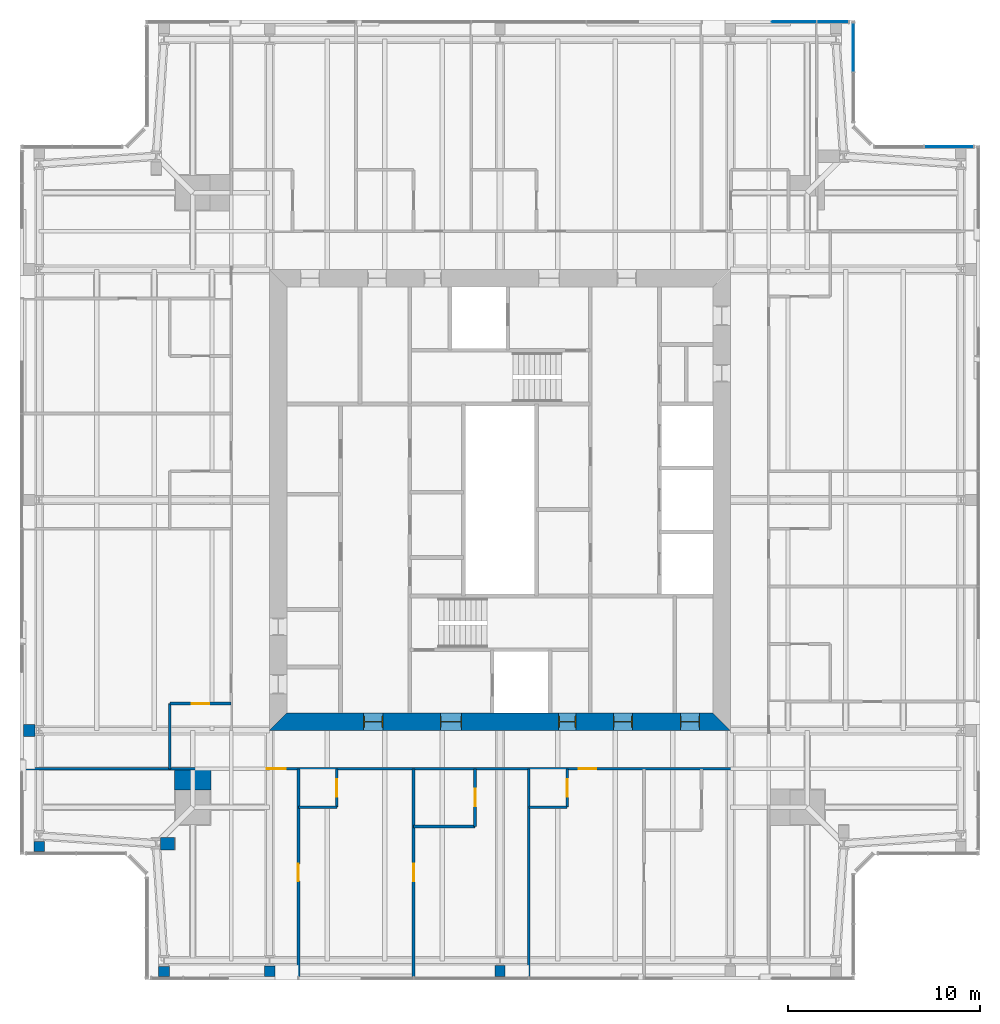
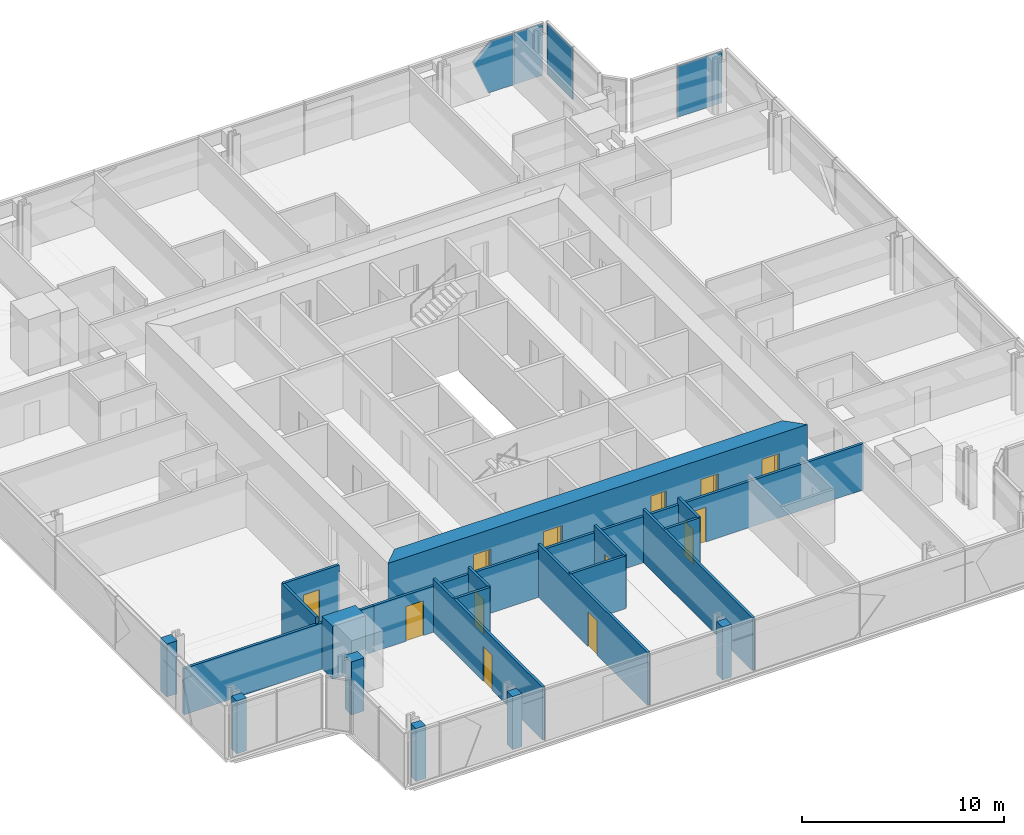
# One storey, part 11 of 18: 21 walls, 13 doors, 4 plates, 13 openings, 3 elements without a shape of their own.
"""IFC4 building model written with IfcOpenShell, lengths in metres."""

from ifc_helpers import new_model, si_unit, direction, frame, frame_2d, origin, origin_2d, place, context, subcontext, project, spatial, polyline, rectangle, outline, extrude, material, layer, layer_set, type_object, element, fill, aggregate, save


model = new_model("IFC4")

# Units and contexts
model_context = context("Model", 3, precision=1e-05, world=origin(), true_north=direction((0.0, 1.0)))
body_context = subcontext(model_context, "Body", "Model", "MODEL_VIEW")
ifc_project = project(units=[si_unit("LENGTHUNIT", "METRE"), si_unit("AREAUNIT", "SQUARE_METRE"), si_unit("VOLUMEUNIT", "CUBIC_METRE"), si_unit("PLANEANGLEUNIT", "RADIAN"), si_unit("MASSUNIT", "GRAM", prefix="KILO")], contexts=[model_context])

# Site, building, storey
site_placement = place(None, origin())
site = spatial("IfcSite", under=ifc_project, at=site_placement, CompositionType="ELEMENT")
building_placement = place(site_placement, origin())
building = spatial("IfcBuilding", under=site, at=building_placement, Name="Fenwick Lantern Interchange", CompositionType="ELEMENT")
storey_placement = place(building_placement, frame((0.0, 0.0, 293.39990234375)))
storey = spatial("IfcBuildingStorey", under=building, at=storey_placement, Name="L71", CompositionType="ELEMENT", Elevation=293.39990234375)

# Curtain wall, plate
ifc_material_1 = material(Name="Aluminium curtain wall frame", Category="aluminium")
curtain_wall_type = type_object("IfcCurtainWallType", Name="HOTEL CURTAIN WALL", PredefinedType="USERDEFINED", material=ifc_material_1)
curtain_wall_1_placement = place(storey_placement, origin())
curtain_wall_1 = element("IfcCurtainWall", 1, at=curtain_wall_1_placement, inside=storey, type_object=curtain_wall_type, Name="Hotel curtain wall 06", ObjectType="HOTEL CURTAIN WALL", PredefinedType="USERDEFINED")
ifc_material_2 = material(Name="Vision glass, acoustic laminated double glazed unit", Category="glass")
ifc_layer_1 = layer(ifc_material_2, 0.052001953125)
ifc_layer_set_1 = layer_set([ifc_layer_1], Name="HOTEL CURTAIN WALL PANEL 52")
plate_type = type_object("IfcPlateType", Name="HOTEL CURTAIN WALL PANEL 52", PredefinedType="CURTAIN_PANEL", material=ifc_layer_set_1)
plate_1_placement = place(storey_placement, frame((48.374755859375, 43.39990234375, 0.0), z_axis=(0.0, 0.0, 1.0), x_axis=(-1.0, 0.0, 0.0)))
plate_1 = element("IfcPlate", 2, at=plate_1_placement, type_object=plate_type, Name="L71/CW/06/P00", PredefinedType="CURTAIN_PANEL", context=body_context, shape_type="SweptSolid", body=[
    extrude(rectangle(XDim=2.53076171875, YDim=0.052001953125, at=origin_2d()), origin(), (0.0, 0.0, 1.0), 3.10009765625),
])
aggregate(curtain_wall_1, [plate_1])

curtain_wall_2_placement = place(storey_placement, origin())
curtain_wall_2 = element("IfcCurtainWall", 3, at=curtain_wall_2_placement, inside=storey, type_object=curtain_wall_type, Name="Hotel curtain wall 08", ObjectType="HOTEL CURTAIN WALL", PredefinedType="USERDEFINED")
plate_2_placement = place(storey_placement, frame((43.39990234375, 48.57470703125, 0.0), z_axis=(0.0, 0.0, 1.0), x_axis=(0.0, 1.0, 0.0)))
plate_2 = element("IfcPlate", 4, at=plate_2_placement, type_object=plate_type, Name="L71/CW/08/P01", PredefinedType="CURTAIN_PANEL", context=body_context, shape_type="SweptSolid", body=[
    extrude(rectangle(XDim=2.53076171875, YDim=0.052001953125, at=origin_2d()), origin(), (0.0, 0.0, 1.0), 3.10009765625),
])
aggregate(curtain_wall_2, [plate_2])

# Curtain wall, plates
curtain_wall_3_placement = place(storey_placement, origin())
curtain_wall_3 = element("IfcCurtainWall", 5, at=curtain_wall_3_placement, inside=storey, type_object=curtain_wall_type, Name="Hotel curtain wall 09", ObjectType="HOTEL CURTAIN WALL", PredefinedType="USERDEFINED")
plate_3_placement = place(storey_placement, frame((42.3349609375, 49.89990234375, 0.0), z_axis=(0.0, 0.0, 1.0), x_axis=(-1.0, 0.0, 0.0)))
plate_3 = element("IfcPlate", 6, at=plate_3_placement, type_object=plate_type, Name="L71/CW/09/P00", PredefinedType="CURTAIN_PANEL", context=body_context, shape_type="SweptSolid", body=[
    extrude(rectangle(XDim=1.610107421875, YDim=0.052001953125, at=origin_2d()), origin(), (0.0, 0.0, 1.0), 3.10009765625),
])
plate_4_placement = place(storey_placement, frame((43.39990234375, 49.89990234375, 0.0), z_axis=(0.0, 0.0, 1.0), x_axis=(-1.0, 0.0, 0.0)))
plate_4 = element("IfcPlate", 7, at=plate_4_placement, type_object=plate_type, Name="L71/CW/09/P01a", PredefinedType="CURTAIN_PANEL", context=body_context, shape_type="SweptSolid", body=[
    extrude(outline(polyline([(1.929931640625, 0.0), (3.36328125, 0.0), (4.258056640625, 2.193603515625), (3.260986328125, 3.10009765625), (1.929931640625, 3.10009765625), (1.929931640625, 0.0)])), frame((0.0, 0.02587890625, 0.0), z_axis=(0.0, -1.0, 0.0), x_axis=(1.0, 0.0, 0.0)), (0.0, 0.0, 1.0), 0.052001953125),
])
aggregate(curtain_wall_3, [plate_3, plate_4])

# Walls
ifc_material_3 = material(Name="Fire-rated gypsum board encasement on steel studs, 2 hour", Category="steel")
ifc_layer_2 = layer(ifc_material_3, 1.89990234375)
ifc_layer_set_2 = layer_set([ifc_layer_2], Name="COLUMN PIER 1900")
wall_type_1 = type_object("IfcWallType", Name="COLUMN PIER 1900", PredefinedType="PARTITIONING", material=ifc_layer_set_2)
wall_1_placement = place(storey_placement, frame((9.0, 10.925048828125, 0.0), z_axis=(0.0, 0.0, 1.0), x_axis=(0.0, -1.0, 0.0)))
element("IfcWall", 8, at=wall_1_placement, inside=storey, type_object=wall_type_1, Name="L71/W/PIER/M1", PredefinedType="PARTITIONING", context=body_context, shape_type="SweptSolid", body=[
    extrude(rectangle(XDim=1.025146484375, YDim=1.89990234375, at=frame_2d((0.5126953125, 0.0))), origin(), (0.0, 0.0, 1.0), 3.2001953125),
])
ifc_layer_3 = layer(ifc_material_3, 0.52392578125)
ifc_layer_set_3 = layer_set([ifc_layer_3], Name="COLUMN PIER 524")
wall_type_2 = type_object("IfcWallType", Name="COLUMN PIER 524", PredefinedType="PARTITIONING", material=ifc_layer_set_3)
wall_2_placement = place(storey_placement, frame((25.0, 0.18994140625, 0.0), z_axis=(0.0, 0.0, 1.0), x_axis=(0.0, 1.0, 0.0)))
element("IfcWall", 9, at=wall_2_placement, inside=storey, type_object=wall_type_2, Name="L71/W/PIER/CS3", PredefinedType="PARTITIONING", context=body_context, shape_type="SweptSolid", body=[
    extrude(rectangle(XDim=0.572509765625, YDim=0.52392578125, at=frame_2d((0.2861328125, 0.0))), origin(), (0.0, 0.0, 1.0), 3.2001953125),
])
ifc_layer_4 = layer(ifc_material_3, 0.5419921875)
ifc_layer_set_4 = layer_set([ifc_layer_4], Name="COLUMN PIER 542")
wall_type_3 = type_object("IfcWallType", Name="COLUMN PIER 542", PredefinedType="PARTITIONING", material=ifc_layer_set_4)
wall_3_placement = place(storey_placement, frame((13.0, 0.18994140625, 0.0), z_axis=(0.0, 0.0, 1.0), x_axis=(0.0, 1.0, 0.0)))
element("IfcWall", 10, at=wall_3_placement, inside=storey, type_object=wall_type_3, Name="L71/W/PIER/CS2", PredefinedType="PARTITIONING", context=body_context, shape_type="SweptSolid", body=[
    extrude(rectangle(XDim=0.544677734375, YDim=0.5419921875, at=frame_2d((0.2724609375, 0.0))), origin(), (0.0, 0.0, 1.0), 3.2001953125),
])
ifc_layer_5 = layer(ifc_material_3, 0.554931640625)
ifc_layer_set_5 = layer_set([ifc_layer_5], Name="COLUMN PIER 555")
wall_type_4 = type_object("IfcWallType", Name="COLUMN PIER 555", PredefinedType="PARTITIONING", material=ifc_layer_set_5)
for number, where, z_axis, x_axis, name in (
    (11, (7.5, 0.18994140625, 0.0), (0.0, 0.0, 1.0), (0.0, 1.0, 0.0), "L71/W/PIER/CS1"),
    (12, (1.0, 6.68994140625, 0.0), (0.0, 0.0, 1.0), (0.0, 1.0, 0.0), "L71/W/PIER/CW5"),
):
    element("IfcWall", number, at=place(storey_placement, frame(where, z_axis=z_axis, x_axis=x_axis)), inside=storey, type_object=wall_type_4, Name=name, PredefinedType="PARTITIONING", context=body_context, shape_type="SweptSolid", body=[
        extrude(rectangle(XDim=0.525634765625, YDim=0.554931640625, at=frame_2d((0.2626953125, 0.0))), origin(), (0.0, 0.0, 1.0), 3.2001953125),
    ])
ifc_layer_6 = layer(ifc_material_3, 0.631103515625)
ifc_layer_set_6 = layer_set([ifc_layer_6], Name="COLUMN PIER 631")
wall_type_5 = type_object("IfcWallType", Name="COLUMN PIER 631", PredefinedType="PARTITIONING", material=ifc_layer_set_6)
wall_4_placement = place(storey_placement, frame((0.18994140625, 13.0, 0.0), z_axis=(0.0, 0.0, 1.0), x_axis=(1.0, 0.0, 0.0)))
element("IfcWall", 13, at=wall_4_placement, inside=storey, type_object=wall_type_5, Name="L71/W/PIER/CW4", PredefinedType="PARTITIONING", context=body_context, shape_type="SweptSolid", body=[
    extrude(rectangle(XDim=0.589111328125, YDim=0.631103515625, at=frame_2d((0.29443359375, 0.0))), origin(), (0.0, 0.0, 1.0), 3.2001953125),
])
ifc_layer_7 = layer(ifc_material_3, 0.6689453125)
ifc_layer_set_7 = layer_set([ifc_layer_7], Name="COLUMN PIER 669")
wall_type_6 = type_object("IfcWallType", Name="COLUMN PIER 669", PredefinedType="PARTITIONING", material=ifc_layer_set_7)
wall_5_placement = place(storey_placement, frame((8.050048828125, 7.10009765625, 0.0), z_axis=(0.0, 0.0, 1.0), x_axis=(-1.0, 0.0, 0.0)))
element("IfcWall", 14, at=wall_5_placement, inside=storey, type_object=wall_type_6, Name="L71/W/PIER/CWR", PredefinedType="PARTITIONING", context=body_context, shape_type="SweptSolid", body=[
    extrude(rectangle(XDim=0.72265625, YDim=0.6689453125, at=frame_2d((0.361328125, 0.0))), origin(), (0.0, 0.0, 1.0), 3.2001953125),
])

# Wall, openings, doors
ifc_material_4 = material(Name="Concrete f'c 70 MPa", Category="concrete")
ifc_layer_8 = layer(ifc_material_4, 0.89990234375)
ifc_layer_set_8 = layer_set([ifc_layer_8], Name="CORE WALL 900")
wall_type_7 = type_object("IfcWallType", Name="CORE WALL 900", PredefinedType="SHEAR", material=ifc_layer_set_8)
wall_6_placement = place(storey_placement, frame((13.0, 13.449951171875, 0.0), z_axis=(0.0, 0.0, 1.0), x_axis=(1.0, 0.0, 0.0)))
wall_6 = element("IfcWall", 15, at=wall_6_placement, inside=storey, type_object=wall_type_7, Name="L71/CORE/S", PredefinedType="SHEAR", context=body_context, shape_type="SweptSolid", body=[
    extrude(outline(polyline([(0.0, -0.449951171875), (24.0, -0.449951171875), (23.10009765625, 0.449951171875), (0.89990234375, 0.449951171875), (0.0, -0.449951171875)])), origin(), (0.0, 0.0, 1.0), 3.400146484375),
])
opening_1_placement = place(wall_6_placement, frame((4.89990234375, 0.0, 0.0)))
opening_1 = element("IfcOpeningElement", 16, at=opening_1_placement, cuts=wall_6, Name="Opening L71-D001", PredefinedType="OPENING", context=body_context, shape_type="SweptSolid", body=[
    extrude(rectangle(XDim=1.0, YDim=2.199951171875, at=frame_2d((0.5, 1.10009765625))), frame((0.0, 0.4599609375, 0.0), z_axis=(0.0, -1.0, 0.0), x_axis=(1.0, 0.0, 0.0)), (0.0, 0.0, 1.0), 0.919921875),
])
opening_2_placement = place(wall_6_placement, frame((8.89990234375, 0.0, 0.0)))
opening_2 = element("IfcOpeningElement", 17, at=opening_2_placement, cuts=wall_6, Name="Opening L71-D002", PredefinedType="OPENING", context=body_context, shape_type="SweptSolid", body=[
    extrude(rectangle(XDim=1.10009765625, YDim=2.199951171875, at=frame_2d((0.550048828125, 1.10009765625))), frame((0.0, 0.4599609375, 0.0), z_axis=(0.0, -1.0, 0.0), x_axis=(1.0, 0.0, 0.0)), (0.0, 0.0, 1.0), 0.919921875),
])
opening_3_placement = place(wall_6_placement, frame((15.050048828125, 0.0, 0.0)))
opening_3 = element("IfcOpeningElement", 18, at=opening_3_placement, cuts=wall_6, Name="Opening L71-D004", PredefinedType="OPENING", context=body_context, shape_type="SweptSolid", body=[
    extrude(rectangle(XDim=0.89990234375, YDim=2.199951171875, at=frame_2d((0.449951171875, 1.10009765625))), frame((0.0, 0.4599609375, 0.0), z_axis=(0.0, -1.0, 0.0), x_axis=(1.0, 0.0, 0.0)), (0.0, 0.0, 1.0), 0.919921875),
])
opening_4_placement = place(wall_6_placement, frame((17.89990234375, 0.0, 0.0)))
opening_4 = element("IfcOpeningElement", 19, at=opening_4_placement, cuts=wall_6, Name="Opening L71-D005", PredefinedType="OPENING", context=body_context, shape_type="SweptSolid", body=[
    extrude(rectangle(XDim=1.0, YDim=2.199951171875, at=frame_2d((0.5, 1.10009765625))), frame((0.0, 0.4599609375, 0.0), z_axis=(0.0, -1.0, 0.0), x_axis=(1.0, 0.0, 0.0)), (0.0, 0.0, 1.0), 0.919921875),
])
opening_5_placement = place(wall_6_placement, frame((21.39990234375, 0.0, 0.0)))
opening_5 = element("IfcOpeningElement", 20, at=opening_5_placement, cuts=wall_6, Name="Opening L71-D006", PredefinedType="OPENING", context=body_context, shape_type="SweptSolid", body=[
    extrude(rectangle(XDim=1.0, YDim=2.199951171875, at=frame_2d((0.5, 1.10009765625))), frame((0.0, 0.4599609375, 0.0), z_axis=(0.0, -1.0, 0.0), x_axis=(1.0, 0.0, 0.0)), (0.0, 0.0, 1.0), 0.919921875),
])
ifc_material_5 = material(Name="Steel door and frame", Category="steel")
door_type_1 = type_object("IfcDoorType", Name="CORE LOBBY DOOR 1000 X 2200", OperationType="SINGLE_SWING_LEFT", PredefinedType="DOOR", material=ifc_material_5)
door_1_placement = place(opening_1_placement, origin())
door_1 = element("IfcDoor", 21, at=door_1_placement, inside=storey, type_object=door_type_1, Name="Core lobby door", OperationType="SINGLE_SWING_LEFT", OverallHeight=2.199951171875, OverallWidth=1.0, PredefinedType="DOOR", context=body_context, shape_type="SweptSolid", body=[
    extrude(rectangle(XDim=1.0, YDim=2.199951171875, at=frame_2d((0.5, 1.10009765625))), frame((0.0, 0.02490234375, 0.0), z_axis=(0.0, -1.0, 0.0), x_axis=(1.0, 0.0, 0.0)), (0.0, 0.0, 1.0), 0.050048828125),
    extrude(outline(polyline([(0.0, 0.0), (0.0400390625, 0.0), (0.0400390625, 2.159912109375), (0.9599609375, 2.159912109375), (0.9599609375, 0.0), (1.0, 0.0), (1.0, 2.199951171875), (0.0, 2.199951171875), (0.0, 0.0)])), frame((0.0, 0.300048828125, 0.0), z_axis=(0.0, -1.0, 0.0), x_axis=(1.0, 0.0, 0.0)), (0.0, 0.0, 1.0), 0.60009765625),
])
fill(opening_1, door_1)
door_type_2 = type_object("IfcDoorType", Name="FIRE LOBBY DOOR 1100 X 2200", OperationType="SINGLE_SWING_LEFT", PredefinedType="DOOR", material=ifc_material_5)
door_2_placement = place(opening_2_placement, origin())
door_2 = element("IfcDoor", 22, at=door_2_placement, inside=storey, type_object=door_type_2, Name="Fire lobby door", OperationType="SINGLE_SWING_LEFT", OverallHeight=2.199951171875, OverallWidth=1.10009765625, PredefinedType="DOOR", context=body_context, shape_type="SweptSolid", body=[
    extrude(rectangle(XDim=1.10009765625, YDim=2.199951171875, at=frame_2d((0.550048828125, 1.10009765625))), frame((0.0, 0.02490234375, 0.0), z_axis=(0.0, -1.0, 0.0), x_axis=(1.0, 0.0, 0.0)), (0.0, 0.0, 1.0), 0.050048828125),
    extrude(outline(polyline([(0.0, 0.0), (0.0400390625, 0.0), (0.0400390625, 2.159912109375), (1.06005859375, 2.159912109375), (1.06005859375, 0.0), (1.10009765625, 0.0), (1.10009765625, 2.199951171875), (0.0, 2.199951171875), (0.0, 0.0)])), frame((0.0, 0.300048828125, 0.0), z_axis=(0.0, -1.0, 0.0), x_axis=(1.0, 0.0, 0.0)), (0.0, 0.0, 1.0), 0.60009765625),
])
fill(opening_2, door_2)
door_type_3 = type_object("IfcDoorType", Name="SERVICE DOOR 900 X 2200", OperationType="SINGLE_SWING_LEFT", PredefinedType="DOOR", material=ifc_material_5)
door_3_placement = place(opening_3_placement, origin())
door_3 = element("IfcDoor", 23, at=door_3_placement, inside=storey, type_object=door_type_3, Name="Service door", OperationType="SINGLE_SWING_LEFT", OverallHeight=2.199951171875, OverallWidth=0.89990234375, PredefinedType="DOOR", context=body_context, shape_type="SweptSolid", body=[
    extrude(rectangle(XDim=0.89990234375, YDim=2.199951171875, at=frame_2d((0.449951171875, 1.10009765625))), frame((0.0, 0.02490234375, 0.0), z_axis=(0.0, -1.0, 0.0), x_axis=(1.0, 0.0, 0.0)), (0.0, 0.0, 1.0), 0.050048828125),
    extrude(outline(polyline([(0.0, 0.0), (0.0400390625, 0.0), (0.0400390625, 2.159912109375), (0.85986328125, 2.159912109375), (0.85986328125, 0.0), (0.89990234375, 0.0), (0.89990234375, 2.199951171875), (0.0, 2.199951171875), (0.0, 0.0)])), frame((0.0, 0.300048828125, 0.0), z_axis=(0.0, -1.0, 0.0), x_axis=(1.0, 0.0, 0.0)), (0.0, 0.0, 1.0), 0.60009765625),
])
fill(opening_3, door_3)
ifc_material_6 = material(Name="Hardwood door and steel frame", Category="steel")
door_type_4 = type_object("IfcDoorType", Name="WC DOOR 1000 X 2200", OperationType="SINGLE_SWING_LEFT", PredefinedType="DOOR", material=ifc_material_6)
door_4_placement = place(opening_4_placement, origin())
door_4 = element("IfcDoor", 24, at=door_4_placement, inside=storey, type_object=door_type_4, Name="Wc door", OperationType="SINGLE_SWING_LEFT", OverallHeight=2.199951171875, OverallWidth=1.0, PredefinedType="DOOR", context=body_context, shape_type="SweptSolid", body=[
    extrude(rectangle(XDim=1.0, YDim=2.199951171875, at=frame_2d((0.5, 1.10009765625))), frame((0.0, 0.02490234375, 0.0), z_axis=(0.0, -1.0, 0.0), x_axis=(1.0, 0.0, 0.0)), (0.0, 0.0, 1.0), 0.050048828125),
    extrude(outline(polyline([(0.0, 0.0), (0.0400390625, 0.0), (0.0400390625, 2.159912109375), (0.9599609375, 2.159912109375), (0.9599609375, 0.0), (1.0, 0.0), (1.0, 2.199951171875), (0.0, 2.199951171875), (0.0, 0.0)])), frame((0.0, 0.300048828125, 0.0), z_axis=(0.0, -1.0, 0.0), x_axis=(1.0, 0.0, 0.0)), (0.0, 0.0, 1.0), 0.60009765625),
])
fill(opening_4, door_4)
door_5_placement = place(opening_5_placement, origin())
door_5 = element("IfcDoor", 25, at=door_5_placement, inside=storey, type_object=door_type_4, Name="Wc door", OperationType="SINGLE_SWING_LEFT", OverallHeight=2.199951171875, OverallWidth=1.0, PredefinedType="DOOR", context=body_context, shape_type="SweptSolid", body=[
    extrude(rectangle(XDim=1.0, YDim=2.199951171875, at=frame_2d((0.5, 1.10009765625))), frame((0.0, 0.02490234375, 0.0), z_axis=(0.0, -1.0, 0.0), x_axis=(1.0, 0.0, 0.0)), (0.0, 0.0, 1.0), 0.050048828125),
    extrude(outline(polyline([(0.0, 0.0), (0.0400390625, 0.0), (0.0400390625, 2.159912109375), (0.9599609375, 2.159912109375), (0.9599609375, 0.0), (1.0, 0.0), (1.0, 2.199951171875), (0.0, 2.199951171875), (0.0, 0.0)])), frame((0.0, 0.300048828125, 0.0), z_axis=(0.0, -1.0, 0.0), x_axis=(1.0, 0.0, 0.0)), (0.0, 0.0, 1.0), 0.60009765625),
])
fill(opening_5, door_5)

ifc_material_7 = material(Name="Gypsum board on steel studs, 1 hour", Category="steel")
ifc_layer_9 = layer(ifc_material_7, 0.14990234375)
ifc_layer_set_9 = layer_set([ifc_layer_9], Name="CORRIDOR WALL 150")
wall_type_8 = type_object("IfcWallType", Name="CORRIDOR WALL 150", PredefinedType="PARTITIONING", material=ifc_layer_set_9)
wall_7_placement = place(storey_placement, frame((11.0, 11.0, 0.0), z_axis=(0.0, 0.0, 1.0), x_axis=(1.0, 0.0, 0.0)))
wall_7 = element("IfcWall", 26, at=wall_7_placement, inside=storey, type_object=wall_type_8, Name="L71/W/HOTEL/S/CW", PredefinedType="PARTITIONING", context=body_context, shape_type="SweptSolid", body=[
    extrude(rectangle(XDim=28.0, YDim=0.14990234375, at=frame_2d((14.0, 0.0))), origin(), (0.0, 0.0, 1.0), 2.793701171875),
])
opening_6_placement = place(wall_7_placement, frame((1.85009765625, 0.0, 0.0)))
opening_6 = element("IfcOpeningElement", 27, at=opening_6_placement, cuts=wall_7, Name="Opening L71-D025", PredefinedType="OPENING", context=body_context, shape_type="SweptSolid", body=[
    extrude(rectangle(XDim=1.0, YDim=2.10009765625, at=frame_2d((0.5, 1.050048828125))), frame((0.0, 0.0849609375, 0.0), z_axis=(0.0, -1.0, 0.0), x_axis=(1.0, 0.0, 0.0)), (0.0, 0.0, 1.0), 0.169921875),
])
opening_7_placement = place(wall_7_placement, frame((18.10009765625, 0.0, 0.0)))
opening_7 = element("IfcOpeningElement", 28, at=opening_7_placement, cuts=wall_7, Name="Opening L71-D031", PredefinedType="OPENING", context=body_context, shape_type="SweptSolid", body=[
    extrude(rectangle(XDim=0.89990234375, YDim=2.10009765625, at=frame_2d((0.449951171875, 1.050048828125))), frame((0.0, 0.0849609375, 0.0), z_axis=(0.0, -1.0, 0.0), x_axis=(1.0, 0.0, 0.0)), (0.0, 0.0, 1.0), 0.169921875),
])
door_type_5 = type_object("IfcDoorType", Name="GUEST ROOM DOOR 1000 X 2100", OperationType="SINGLE_SWING_LEFT", PredefinedType="DOOR", material=ifc_material_5)
door_6_placement = place(opening_6_placement, frame((1.0, 0.0, 0.0), z_axis=(0.0, 0.0, 1.0), x_axis=(-1.0, 0.0, 0.0)))
door_6 = element("IfcDoor", 29, at=door_6_placement, inside=storey, type_object=door_type_5, Name="Guest room door", OperationType="SINGLE_SWING_LEFT", OverallHeight=2.10009765625, OverallWidth=1.0, PredefinedType="DOOR", context=body_context, shape_type="SweptSolid", body=[
    extrude(rectangle(XDim=1.0, YDim=2.10009765625, at=frame_2d((0.5, 1.050048828125))), frame((0.0, 0.02490234375, 0.0), z_axis=(0.0, -1.0, 0.0), x_axis=(1.0, 0.0, 0.0)), (0.0, 0.0, 1.0), 0.050048828125),
])
fill(opening_6, door_6)
door_type_6 = type_object("IfcDoorType", Name="GUEST ROOM DOOR 900 X 2100", OperationType="SINGLE_SWING_LEFT", PredefinedType="DOOR", material=ifc_material_5)
door_7_placement = place(opening_7_placement, frame((0.89990234375, 0.0, 0.0), z_axis=(0.0, 0.0, 1.0), x_axis=(-1.0, 0.0, 0.0)))
door_7 = element("IfcDoor", 30, at=door_7_placement, inside=storey, type_object=door_type_6, Name="Guest room door", OperationType="SINGLE_SWING_RIGHT", OverallHeight=2.10009765625, OverallWidth=0.89990234375, PredefinedType="DOOR", context=body_context, shape_type="SweptSolid", body=[
    extrude(rectangle(XDim=0.89990234375, YDim=2.10009765625, at=frame_2d((0.449951171875, 1.050048828125))), frame((0.0, 0.02490234375, 0.0), z_axis=(0.0, -1.0, 0.0), x_axis=(1.0, 0.0, 0.0)), (0.0, 0.0, 1.0), 0.050048828125),
])
fill(opening_7, door_7)

# Wall
ifc_material_8 = material(Name="Gypsum board on steel studs, moisture resistant", Category="steel")
ifc_layer_10 = layer(ifc_material_8, 0.14990234375)
ifc_layer_set_10 = layer_set([ifc_layer_10], Name="EN-SUITE WALL 150")
wall_type_9 = type_object("IfcWallType", Name="EN-SUITE WALL 150", PredefinedType="PARTITIONING", material=ifc_layer_set_10)
wall_8_placement = place(storey_placement, frame((14.5, 9.0, 0.0), z_axis=(0.0, 0.0, 1.0), x_axis=(1.0, 0.0, 0.0)))
element("IfcWall", 31, at=wall_8_placement, inside=storey, type_object=wall_type_9, Name="L71/W/HOTEL/S/U1WW", PredefinedType="PARTITIONING", context=body_context, shape_type="SweptSolid", body=[
    extrude(rectangle(XDim=2.0, YDim=0.14990234375, at=frame_2d((1.0, 0.0))), origin(), (0.0, 0.0, 1.0), 3.2001953125),
])

# Wall, opening, door
wall_9_placement = place(storey_placement, frame((16.5, 9.0, 0.0), z_axis=(0.0, 0.0, 1.0), x_axis=(0.0, 1.0, 0.0)))
wall_9 = element("IfcWall", 32, at=wall_9_placement, inside=storey, type_object=wall_type_9, Name="L71/W/HOTEL/S/U1WX", PredefinedType="PARTITIONING", context=body_context, shape_type="SweptSolid", body=[
    extrude(rectangle(XDim=2.0, YDim=0.14990234375, at=frame_2d((1.0, 0.0))), origin(), (0.0, 0.0, 1.0), 3.2001953125),
])
opening_8_placement = place(wall_9_placement, frame((0.550048828125, 0.0, 0.0)))
opening_8 = element("IfcOpeningElement", 33, at=opening_8_placement, cuts=wall_9, Name="Opening L71-D026", PredefinedType="OPENING", context=body_context, shape_type="SweptSolid", body=[
    extrude(rectangle(XDim=0.89990234375, YDim=2.10009765625, at=frame_2d((0.449951171875, 1.050048828125))), frame((0.0, 0.0849609375, 0.0), z_axis=(0.0, -1.0, 0.0), x_axis=(1.0, 0.0, 0.0)), (0.0, 0.0, 1.0), 0.169921875),
])
door_type_7 = type_object("IfcDoorType", Name="EN-SUITE DOOR 900 X 2100", OperationType="SINGLE_SWING_LEFT", PredefinedType="DOOR", material=ifc_material_6)
door_8_placement = place(opening_8_placement, origin())
door_8 = element("IfcDoor", 34, at=door_8_placement, inside=storey, type_object=door_type_7, Name="En-suite door", OperationType="SINGLE_SWING_LEFT", OverallHeight=2.10009765625, OverallWidth=0.89990234375, PredefinedType="DOOR", context=body_context, shape_type="SweptSolid", body=[
    extrude(rectangle(XDim=0.89990234375, YDim=2.10009765625, at=frame_2d((0.449951171875, 1.050048828125))), frame((0.0, 0.02490234375, 0.0), z_axis=(0.0, -1.0, 0.0), x_axis=(1.0, 0.0, 0.0)), (0.0, 0.0, 1.0), 0.050048828125),
])
fill(opening_8, door_8)

# Wall
wall_10_placement = place(storey_placement, frame((20.5, 8.0, 0.0), z_axis=(0.0, 0.0, 1.0), x_axis=(1.0, 0.0, 0.0)))
element("IfcWall", 35, at=wall_10_placement, inside=storey, type_object=wall_type_9, Name="L71/W/HOTEL/S/U1BW", PredefinedType="PARTITIONING", context=body_context, shape_type="SweptSolid", body=[
    extrude(rectangle(XDim=3.199951171875, YDim=0.14990234375, at=frame_2d((1.60009765625, 0.0))), origin(), (0.0, 0.0, 1.0), 3.2001953125),
])

# Wall, opening, door
wall_11_placement = place(storey_placement, frame((23.699951171875, 8.0, 0.0), z_axis=(0.0, 0.0, 1.0), x_axis=(0.0, 1.0, 0.0)))
wall_11 = element("IfcWall", 36, at=wall_11_placement, inside=storey, type_object=wall_type_9, Name="L71/W/HOTEL/S/U1BX", PredefinedType="PARTITIONING", context=body_context, shape_type="SweptSolid", body=[
    extrude(rectangle(XDim=3.0, YDim=0.14990234375, at=frame_2d((1.5, 0.0))), origin(), (0.0, 0.0, 1.0), 3.2001953125),
])
opening_9_placement = place(wall_11_placement, frame((1.050048828125, 0.0, 0.0)))
opening_9 = element("IfcOpeningElement", 37, at=opening_9_placement, cuts=wall_11, Name="Opening L71-D028", PredefinedType="OPENING", context=body_context, shape_type="SweptSolid", body=[
    extrude(rectangle(XDim=0.89990234375, YDim=2.10009765625, at=frame_2d((0.449951171875, 1.050048828125))), frame((0.0, 0.0849609375, 0.0), z_axis=(0.0, -1.0, 0.0), x_axis=(1.0, 0.0, 0.0)), (0.0, 0.0, 1.0), 0.169921875),
])
door_9_placement = place(opening_9_placement, origin())
door_9 = element("IfcDoor", 38, at=door_9_placement, inside=storey, type_object=door_type_7, Name="En-suite door", OperationType="SINGLE_SWING_LEFT", OverallHeight=2.10009765625, OverallWidth=0.89990234375, PredefinedType="DOOR", context=body_context, shape_type="SweptSolid", body=[
    extrude(rectangle(XDim=0.89990234375, YDim=2.10009765625, at=frame_2d((0.449951171875, 1.050048828125))), frame((0.0, 0.02490234375, 0.0), z_axis=(0.0, -1.0, 0.0), x_axis=(1.0, 0.0, 0.0)), (0.0, 0.0, 1.0), 0.050048828125),
])
fill(opening_9, door_9)

# Wall
wall_12_placement = place(storey_placement, frame((26.5, 9.0, 0.0), z_axis=(0.0, 0.0, 1.0), x_axis=(1.0, 0.0, 0.0)))
element("IfcWall", 39, at=wall_12_placement, inside=storey, type_object=wall_type_9, Name="L71/W/HOTEL/S/U2WW", PredefinedType="PARTITIONING", context=body_context, shape_type="SweptSolid", body=[
    extrude(rectangle(XDim=2.0, YDim=0.14990234375, at=frame_2d((1.0, 0.0))), origin(), (0.0, 0.0, 1.0), 3.2001953125),
])

# Wall, opening, door
wall_13_placement = place(storey_placement, frame((28.5, 9.0, 0.0), z_axis=(0.0, 0.0, 1.0), x_axis=(0.0, 1.0, 0.0)))
wall_13 = element("IfcWall", 40, at=wall_13_placement, inside=storey, type_object=wall_type_9, Name="L71/W/HOTEL/S/U2WX", PredefinedType="PARTITIONING", context=body_context, shape_type="SweptSolid", body=[
    extrude(rectangle(XDim=2.0, YDim=0.14990234375, at=frame_2d((1.0, 0.0))), origin(), (0.0, 0.0, 1.0), 3.2001953125),
])
opening_10_placement = place(wall_13_placement, frame((0.550048828125, 0.0, 0.0)))
opening_10 = element("IfcOpeningElement", 41, at=opening_10_placement, cuts=wall_13, Name="Opening L71-D030", PredefinedType="OPENING", context=body_context, shape_type="SweptSolid", body=[
    extrude(rectangle(XDim=0.89990234375, YDim=2.10009765625, at=frame_2d((0.449951171875, 1.050048828125))), frame((0.0, 0.0849609375, 0.0), z_axis=(0.0, -1.0, 0.0), x_axis=(1.0, 0.0, 0.0)), (0.0, 0.0, 1.0), 0.169921875),
])
door_10_placement = place(opening_10_placement, origin())
door_10 = element("IfcDoor", 42, at=door_10_placement, inside=storey, type_object=door_type_7, Name="En-suite door", OperationType="SINGLE_SWING_LEFT", OverallHeight=2.10009765625, OverallWidth=0.89990234375, PredefinedType="DOOR", context=body_context, shape_type="SweptSolid", body=[
    extrude(rectangle(XDim=0.89990234375, YDim=2.10009765625, at=frame_2d((0.449951171875, 1.050048828125))), frame((0.0, 0.02490234375, 0.0), z_axis=(0.0, -1.0, 0.0), x_axis=(1.0, 0.0, 0.0)), (0.0, 0.0, 1.0), 0.050048828125),
])
fill(opening_10, door_10)

# Wall
wall_14_placement = place(storey_placement, frame((7.800048828125, 14.39990234375, 0.0), z_axis=(0.0, 0.0, 1.0), x_axis=(0.0, -1.0, 0.0)))
element("IfcWall", 43, at=wall_14_placement, inside=storey, type_object=wall_type_9, Name="L71/W/HOTEL/W/U3BW", PredefinedType="PARTITIONING", context=body_context, shape_type="SweptSolid", body=[
    extrude(rectangle(XDim=3.39990234375, YDim=0.14990234375, at=frame_2d((1.699951171875, 0.0))), origin(), (0.0, 0.0, 1.0), 3.2001953125),
])

# Wall, opening, door
wall_15_placement = place(storey_placement, frame((7.800048828125, 14.39990234375, 0.0), z_axis=(0.0, 0.0, 1.0), x_axis=(1.0, 0.0, 0.0)))
wall_15 = element("IfcWall", 44, at=wall_15_placement, inside=storey, type_object=wall_type_9, Name="L71/W/HOTEL/W/U3BX", PredefinedType="PARTITIONING", context=body_context, shape_type="SweptSolid", body=[
    extrude(rectangle(XDim=3.199951171875, YDim=0.14990234375, at=frame_2d((1.60009765625, 0.0))), origin(), (0.0, 0.0, 1.0), 3.2001953125),
])
opening_11_placement = place(wall_15_placement, frame((1.14990234375, 0.0, 0.0)))
opening_11 = element("IfcOpeningElement", 45, at=opening_11_placement, cuts=wall_15, Name="Opening L71-D055", PredefinedType="OPENING", context=body_context, shape_type="SweptSolid", body=[
    extrude(rectangle(XDim=0.89990234375, YDim=2.10009765625, at=frame_2d((0.449951171875, 1.050048828125))), frame((0.0, 0.0849609375, 0.0), z_axis=(0.0, -1.0, 0.0), x_axis=(1.0, 0.0, 0.0)), (0.0, 0.0, 1.0), 0.169921875),
])
door_11_placement = place(opening_11_placement, frame((0.89990234375, 0.0, 0.0), z_axis=(0.0, 0.0, 1.0), x_axis=(-1.0, 0.0, 0.0)))
door_11 = element("IfcDoor", 46, at=door_11_placement, inside=storey, type_object=door_type_7, Name="En-suite door", OperationType="SINGLE_SWING_RIGHT", OverallHeight=2.10009765625, OverallWidth=0.89990234375, PredefinedType="DOOR", context=body_context, shape_type="SweptSolid", body=[
    extrude(rectangle(XDim=0.89990234375, YDim=2.10009765625, at=frame_2d((0.449951171875, 1.050048828125))), frame((0.0, 0.02490234375, 0.0), z_axis=(0.0, -1.0, 0.0), x_axis=(1.0, 0.0, 0.0)), (0.0, 0.0, 1.0), 0.050048828125),
])
fill(opening_11, door_11)

# Walls
ifc_material_9 = material(Name="Gypsum board on steel studs, 1 hour acoustic", Category="steel")
ifc_layer_11 = layer(ifc_material_9, 0.14990234375)
ifc_layer_set_11 = layer_set([ifc_layer_11], Name="PARTY WALL 150")
wall_type_10 = type_object("IfcWallType", Name="PARTY WALL 150", PredefinedType="PARTITIONING", material=ifc_layer_set_11)
wall_16_placement = place(storey_placement, frame((0.14990234375, 11.0, 0.0), z_axis=(0.0, 0.0, 1.0), x_axis=(1.0, 0.0, 0.0)))
element("IfcWall", 47, at=wall_16_placement, inside=storey, type_object=wall_type_10, Name="L71/W/HOTEL/S/SW3", PredefinedType="PARTITIONING", context=body_context, shape_type="SweptSolid", body=[
    extrude(rectangle(XDim=10.85009765625, YDim=0.14990234375, at=frame_2d((5.425048828125, 0.0))), origin(), (0.0, 0.0, 1.0), 2.793701171875),
])
wall_17_placement = place(storey_placement, frame((26.5, 0.14990234375, 0.0), z_axis=(0.0, 0.0, 1.0), x_axis=(0.0, 1.0, 0.0)))
element("IfcWall", 48, at=wall_17_placement, inside=storey, type_object=wall_type_10, Name="L71/W/HOTEL/S/U2PW", PredefinedType="PARTITIONING", context=body_context, shape_type="SweptSolid", body=[
    extrude(rectangle(XDim=10.85009765625, YDim=0.14990234375, at=frame_2d((5.425048828125, 0.0))), origin(), (0.0, 0.0, 1.0), 3.2001953125),
])

# Wall, opening, door
ifc_material_10 = material(Name="Gypsum board on steel studs, acoustic", Category="steel")
ifc_layer_12 = layer(ifc_material_10, 0.14990234375)
ifc_layer_set_12 = layer_set([ifc_layer_12], Name="SUITE PARTITION 150")
wall_type_11 = type_object("IfcWallType", Name="SUITE PARTITION 150", PredefinedType="PARTITIONING", material=ifc_layer_set_12)
wall_18_placement = place(storey_placement, frame((14.5, 0.14990234375, 0.0), z_axis=(0.0, 0.0, 1.0), x_axis=(0.0, 1.0, 0.0)))
wall_18 = element("IfcWall", 49, at=wall_18_placement, inside=storey, type_object=wall_type_11, Name="L71/W/HOTEL/S/U1P1", PredefinedType="PARTITIONING", context=body_context, shape_type="SweptSolid", body=[
    extrude(rectangle(XDim=10.85009765625, YDim=0.14990234375, at=frame_2d((5.425048828125, 0.0))), origin(), (0.0, 0.0, 1.0), 3.2001953125),
])
opening_12_placement = place(wall_18_placement, frame((5.0, 0.0, 0.0)))
opening_12 = element("IfcOpeningElement", 50, at=opening_12_placement, cuts=wall_18, Name="Opening L71-D027", PredefinedType="OPENING", context=body_context, shape_type="SweptSolid", body=[
    extrude(rectangle(XDim=0.89990234375, YDim=2.10009765625, at=frame_2d((0.449951171875, 1.050048828125))), frame((0.0, 0.0849609375, 0.0), z_axis=(0.0, -1.0, 0.0), x_axis=(1.0, 0.0, 0.0)), (0.0, 0.0, 1.0), 0.169921875),
])
door_type_8 = type_object("IfcDoorType", Name="SUITE INTERNAL DOOR 900 X 2100", OperationType="SINGLE_SWING_LEFT", PredefinedType="DOOR", material=ifc_material_6)
door_12_placement = place(opening_12_placement, frame((0.89990234375, 0.0, 0.0), z_axis=(0.0, 0.0, 1.0), x_axis=(-1.0, 0.0, 0.0)))
door_12 = element("IfcDoor", 51, at=door_12_placement, inside=storey, type_object=door_type_8, Name="Suite internal door", OperationType="SINGLE_SWING_LEFT", OverallHeight=2.10009765625, OverallWidth=0.89990234375, PredefinedType="DOOR", context=body_context, shape_type="SweptSolid", body=[
    extrude(rectangle(XDim=0.89990234375, YDim=2.10009765625, at=frame_2d((0.449951171875, 1.050048828125))), frame((0.0, 0.02490234375, 0.0), z_axis=(0.0, -1.0, 0.0), x_axis=(1.0, 0.0, 0.0)), (0.0, 0.0, 1.0), 0.050048828125),
])
fill(opening_12, door_12)

wall_19_placement = place(storey_placement, frame((20.5, 0.14990234375, 0.0), z_axis=(0.0, 0.0, 1.0), x_axis=(0.0, 1.0, 0.0)))
wall_19 = element("IfcWall", 52, at=wall_19_placement, inside=storey, type_object=wall_type_11, Name="L71/W/HOTEL/S/U1P2", PredefinedType="PARTITIONING", context=body_context, shape_type="SweptSolid", body=[
    extrude(rectangle(XDim=10.85009765625, YDim=0.14990234375, at=frame_2d((5.425048828125, 0.0))), origin(), (0.0, 0.0, 1.0), 3.2001953125),
])
opening_13_placement = place(wall_19_placement, frame((5.0, 0.0, 0.0)))
opening_13 = element("IfcOpeningElement", 53, at=opening_13_placement, cuts=wall_19, Name="Opening L71-D029", PredefinedType="OPENING", context=body_context, shape_type="SweptSolid", body=[
    extrude(rectangle(XDim=0.89990234375, YDim=2.10009765625, at=frame_2d((0.449951171875, 1.050048828125))), frame((0.0, 0.0849609375, 0.0), z_axis=(0.0, -1.0, 0.0), x_axis=(1.0, 0.0, 0.0)), (0.0, 0.0, 1.0), 0.169921875),
])
door_13_placement = place(opening_13_placement, frame((0.89990234375, 0.0, 0.0), z_axis=(0.0, 0.0, 1.0), x_axis=(-1.0, 0.0, 0.0)))
door_13 = element("IfcDoor", 54, at=door_13_placement, inside=storey, type_object=door_type_8, Name="Suite internal door", OperationType="SINGLE_SWING_LEFT", OverallHeight=2.10009765625, OverallWidth=0.89990234375, PredefinedType="DOOR", context=body_context, shape_type="SweptSolid", body=[
    extrude(rectangle(XDim=0.89990234375, YDim=2.10009765625, at=frame_2d((0.449951171875, 1.050048828125))), frame((0.0, 0.02490234375, 0.0), z_axis=(0.0, -1.0, 0.0), x_axis=(1.0, 0.0, 0.0)), (0.0, 0.0, 1.0), 0.050048828125),
])
fill(opening_13, door_13)

save(model, "model.ifc")
